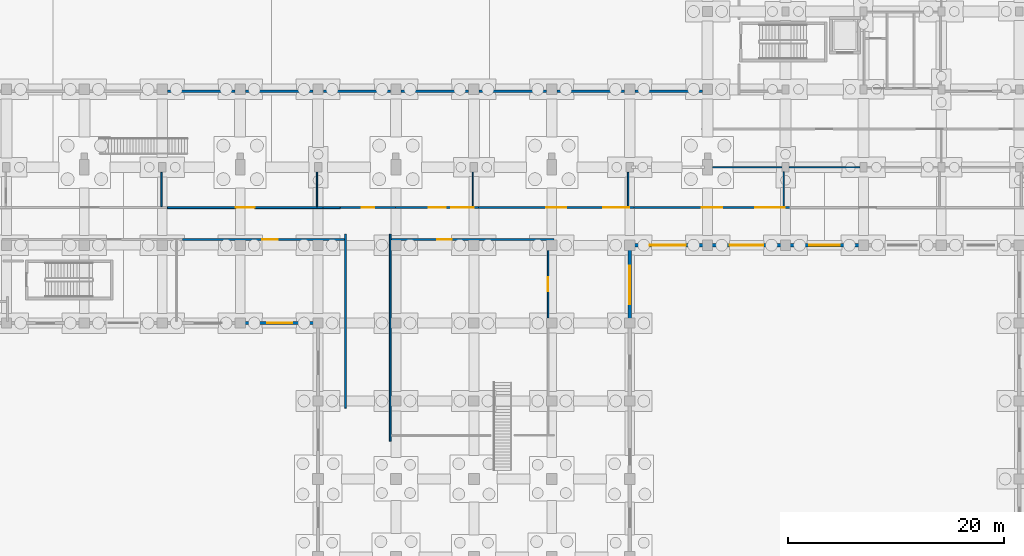
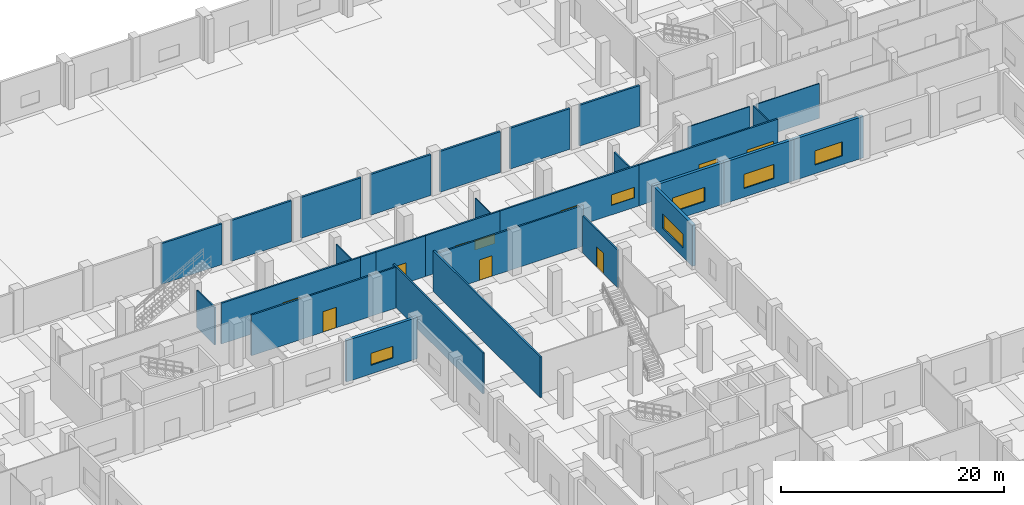
# One storey, part 29 of 48: 30 walls, 8 doors, 8 windows, 16 openings.
"""IFC4 building model written with IfcOpenShell, lengths in metres."""

from ifc_helpers import new_model, si_unit, direction, frame, frame_2d, origin, place, context, subcontext, project, spatial, rectangle, extrude, material, layer, layer_set, type_object, element, fill, save


model = new_model("IFC4")

# Units and contexts
model_context = context("Model", 3, precision=1e-05, world=origin(), true_north=direction((0.0, 1.0)))
body_context = subcontext(model_context, "Body", "Model", "MODEL_VIEW")
ifc_project = project(units=[si_unit("LENGTHUNIT", "METRE"), si_unit("AREAUNIT", "SQUARE_METRE"), si_unit("VOLUMEUNIT", "CUBIC_METRE"), si_unit("PLANEANGLEUNIT", "RADIAN"), si_unit("MASSUNIT", "GRAM", prefix="KILO")], contexts=[model_context])

# Site, building, storey
site_placement = place(None, origin())
site = spatial("IfcSite", under=ifc_project, at=site_placement, CompositionType="ELEMENT")
building_placement = place(site_placement, origin())
building = spatial("IfcBuilding", under=site, at=building_placement, Name="Seraya Terrace Polytechnic", CompositionType="ELEMENT")
storey_placement = place(building_placement, origin())
storey = spatial("IfcBuildingStorey", under=building, at=storey_placement, Name="L00", CompositionType="ELEMENT", Elevation=0.0)

# Wall, opening, window
ifc_material_1 = material(Name="Concrete C40/50", Category="concrete")
ifc_layer_1 = layer(ifc_material_1, 0.300048828125, Name="EW-01")
ifc_layer_set_1 = layer_set([ifc_layer_1], Name="Concrete C40/50")
wall_type_1 = type_object("IfcWallType", Name="EW-01", PredefinedType="SOLIDWALL", material=ifc_layer_set_1)
wall_1_placement = place(storey_placement, frame((79.35009765625, 64.800048828125, 0.0), z_axis=(0.0, 0.0, 1.0), x_axis=(-1.0, 0.0, 0.0)))
wall_1 = element("IfcWall", 1, at=wall_1_placement, inside=storey, type_object=wall_type_1, Name="Exterior structural wall EW-01 L00", PredefinedType="SOLIDWALL", context=body_context, shape_type="SweptSolid", body=[
    extrude(rectangle(XDim=7.35009765625, YDim=0.300048828125, at=frame_2d((3.675048828125, 0.0))), origin(), (0.0, 0.0, 1.0), 4.52001953125),
])
opening_1_placement = place(wall_1_placement, frame((2.52490234375, 0.0, 0.949951171875)))
opening_1 = element("IfcOpeningElement", 2, at=opening_1_placement, cuts=wall_1, Name="Opening WN-09", PredefinedType="OPENING", context=body_context, shape_type="SweptSolid", body=[
    extrude(rectangle(XDim=2.300048828125, YDim=1.300048828125, at=frame_2d((1.14990234375, 0.64990234375))), frame((0.0, 0.162109375, 0.0), z_axis=(0.0, -1.0, 0.0), x_axis=(1.0, 0.0, 0.0)), (0.0, 0.0, 1.0), 0.323974609375),
])
ifc_material_2 = material(Name="Laminated solar-control Low-E double glazing", Category="glass")
window_type_1 = type_object("IfcWindowType", Name="WN-09", PartitioningType="SINGLE_PANEL", PredefinedType="WINDOW", material=ifc_material_2)
window_1_placement = place(opening_1_placement, origin())
window_1 = element("IfcWindow", 3, at=window_1_placement, inside=storey, type_object=window_type_1, Name="Exterior window WN-09 L00", OverallHeight=1.300048828125, OverallWidth=2.300048828125, PartitioningType="SINGLE_PANEL", PredefinedType="WINDOW", context=body_context, shape_type="SweptSolid", body=[
    extrude(rectangle(XDim=2.300048828125, YDim=1.300048828125, at=frame_2d((1.14990234375, 0.64990234375))), frame((0.0, 0.030029296875, 0.0), z_axis=(0.0, -1.0, 0.0), x_axis=(1.0, 0.0, 0.0)), (0.0, 0.0, 1.0), 0.06005859375),
])
fill(opening_1, window_1)

wall_2_placement = place(storey_placement, frame((129.60009765625, 72.0, 0.0), z_axis=(0.0, 0.0, 1.0), x_axis=(-1.0, 0.0, 0.0)))
wall_2 = element("IfcWall", 4, at=wall_2_placement, inside=storey, type_object=wall_type_1, Name="Exterior structural wall EW-01 L00", PredefinedType="SOLIDWALL", context=body_context, shape_type="SweptSolid", body=[
    extrude(rectangle(XDim=7.2001953125, YDim=0.300048828125, at=frame_2d((3.60009765625, 0.0))), origin(), (0.0, 0.0, 1.0), 4.52001953125),
])
opening_2_placement = place(wall_2_placement, frame((2.175048828125, 0.0, 0.949951171875)))
opening_2 = element("IfcOpeningElement", 5, at=opening_2_placement, cuts=wall_2, Name="Opening WN-23", PredefinedType="OPENING", context=body_context, shape_type="SweptSolid", body=[
    extrude(rectangle(XDim=2.85009765625, YDim=1.550048828125, at=frame_2d((1.425048828125, 0.77490234375))), frame((0.0, 0.162109375, 0.0), z_axis=(0.0, -1.0, 0.0), x_axis=(1.0, 0.0, 0.0)), (0.0, 0.0, 1.0), 0.323974609375),
])
window_type_2 = type_object("IfcWindowType", Name="WN-23", PartitioningType="SINGLE_PANEL", PredefinedType="WINDOW", material=ifc_material_2)
window_2_placement = place(opening_2_placement, origin())
window_2 = element("IfcWindow", 6, at=window_2_placement, inside=storey, type_object=window_type_2, Name="Exterior window WN-23 L00", OverallHeight=1.550048828125, OverallWidth=2.85009765625, PartitioningType="SINGLE_PANEL", PredefinedType="WINDOW", context=body_context, shape_type="SweptSolid", body=[
    extrude(rectangle(XDim=2.85009765625, YDim=1.550048828125, at=frame_2d((1.425048828125, 0.77490234375))), frame((0.0, 0.030029296875, 0.0), z_axis=(0.0, -1.0, 0.0), x_axis=(1.0, 0.0, 0.0)), (0.0, 0.0, 1.0), 0.06005859375),
])
fill(opening_2, window_2)

wall_3_placement = place(storey_placement, frame((122.39990234375, 72.0, 0.0), z_axis=(0.0, 0.0, 1.0), x_axis=(-1.0, 0.0, 0.0)))
wall_3 = element("IfcWall", 7, at=wall_3_placement, inside=storey, type_object=wall_type_1, Name="Exterior structural wall EW-01 L00", PredefinedType="SOLIDWALL", context=body_context, shape_type="SweptSolid", body=[
    extrude(rectangle(XDim=7.199951171875, YDim=0.300048828125, at=frame_2d((3.60009765625, 0.0))), origin(), (0.0, 0.0, 1.0), 4.52001953125),
])
opening_3_placement = place(wall_3_placement, frame((2.050048828125, 0.0, 0.949951171875)))
opening_3 = element("IfcOpeningElement", 8, at=opening_3_placement, cuts=wall_3, Name="Opening WN-24", PredefinedType="OPENING", context=body_context, shape_type="SweptSolid", body=[
    extrude(rectangle(XDim=3.10009765625, YDim=1.550048828125, at=frame_2d((1.550048828125, 0.77490234375))), frame((0.0, 0.162109375, 0.0), z_axis=(0.0, -1.0, 0.0), x_axis=(1.0, 0.0, 0.0)), (0.0, 0.0, 1.0), 0.323974609375),
])
window_type_3 = type_object("IfcWindowType", Name="WN-24", PartitioningType="SINGLE_PANEL", PredefinedType="WINDOW", material=ifc_material_2)
window_3_placement = place(opening_3_placement, origin())
window_3 = element("IfcWindow", 9, at=window_3_placement, inside=storey, type_object=window_type_3, Name="Exterior window WN-24 L00", OverallHeight=1.550048828125, OverallWidth=3.10009765625, PartitioningType="SINGLE_PANEL", PredefinedType="WINDOW", context=body_context, shape_type="SweptSolid", body=[
    extrude(rectangle(XDim=3.10009765625, YDim=1.550048828125, at=frame_2d((1.550048828125, 0.77490234375))), frame((0.0, 0.030029296875, 0.0), z_axis=(0.0, -1.0, 0.0), x_axis=(1.0, 0.0, 0.0)), (0.0, 0.0, 1.0), 0.06005859375),
])
fill(opening_3, window_3)

wall_4_placement = place(storey_placement, frame((115.199951171875, 72.0, 0.0), z_axis=(0.0, 0.0, 1.0), x_axis=(-1.0, 0.0, 0.0)))
wall_4 = element("IfcWall", 10, at=wall_4_placement, inside=storey, type_object=wall_type_1, Name="Exterior structural wall EW-01 L00", PredefinedType="SOLIDWALL", context=body_context, shape_type="SweptSolid", body=[
    extrude(rectangle(XDim=7.349853515625, YDim=0.300048828125, at=frame_2d((3.6748046875, 0.0))), origin(), (0.0, 0.0, 1.0), 4.52001953125),
])
opening_4_placement = place(wall_4_placement, frame((2.0, 0.0, 0.949951171875)))
opening_4 = element("IfcOpeningElement", 11, at=opening_4_placement, cuts=wall_4, Name="Opening WN-25", PredefinedType="OPENING", context=body_context, shape_type="SweptSolid", body=[
    extrude(rectangle(XDim=3.35009765625, YDim=1.550048828125, at=frame_2d((1.675048828125, 0.77490234375))), frame((0.0, 0.162109375, 0.0), z_axis=(0.0, -1.0, 0.0), x_axis=(1.0, 0.0, 0.0)), (0.0, 0.0, 1.0), 0.323974609375),
])
window_type_4 = type_object("IfcWindowType", Name="WN-25", PartitioningType="SINGLE_PANEL", PredefinedType="WINDOW", material=ifc_material_2)
window_4_placement = place(opening_4_placement, origin())
window_4 = element("IfcWindow", 12, at=window_4_placement, inside=storey, type_object=window_type_4, Name="Exterior window WN-25 L00", OverallHeight=1.550048828125, OverallWidth=3.35009765625, PartitioningType="SINGLE_PANEL", PredefinedType="WINDOW", context=body_context, shape_type="SweptSolid", body=[
    extrude(rectangle(XDim=3.35009765625, YDim=1.550048828125, at=frame_2d((1.675048828125, 0.77490234375))), frame((0.0, 0.030029296875, 0.0), z_axis=(0.0, -1.0, 0.0), x_axis=(1.0, 0.0, 0.0)), (0.0, 0.0, 1.0), 0.06005859375),
])
fill(opening_4, window_4)

wall_5_placement = place(storey_placement, frame((108.0, 71.847900390625, 0.0), z_axis=(0.0, 0.0, 1.0), x_axis=(0.0, -1.0, 0.0)))
wall_5 = element("IfcWall", 13, at=wall_5_placement, inside=storey, type_object=wall_type_1, Name="Exterior structural wall EW-01 L00", PredefinedType="SOLIDWALL", context=body_context, shape_type="SweptSolid", body=[
    extrude(rectangle(XDim=7.0478515625, YDim=0.300048828125, at=frame_2d((3.52392578125, 0.0))), origin(), (0.0, 0.0, 1.0), 4.52001953125),
])
opening_5_placement = place(wall_5_placement, frame((1.72412109375, 0.0, 0.949951171875)))
opening_5 = element("IfcOpeningElement", 14, at=opening_5_placement, cuts=wall_5, Name="Opening WN-26", PredefinedType="OPENING", context=body_context, shape_type="SweptSolid", body=[
    extrude(rectangle(XDim=3.60009765625, YDim=1.550048828125, at=frame_2d((1.800048828125, 0.77490234375))), frame((0.0, 0.162109375, 0.0), z_axis=(0.0, -1.0, 0.0), x_axis=(1.0, 0.0, 0.0)), (0.0, 0.0, 1.0), 0.323974609375),
])
window_type_5 = type_object("IfcWindowType", Name="WN-26", PartitioningType="SINGLE_PANEL", PredefinedType="WINDOW", material=ifc_material_2)
window_5_placement = place(opening_5_placement, origin())
window_5 = element("IfcWindow", 15, at=window_5_placement, inside=storey, type_object=window_type_5, Name="Exterior window WN-26 L00", OverallHeight=1.550048828125, OverallWidth=3.60009765625, PartitioningType="SINGLE_PANEL", PredefinedType="WINDOW", context=body_context, shape_type="SweptSolid", body=[
    extrude(rectangle(XDim=3.60009765625, YDim=1.550048828125, at=frame_2d((1.800048828125, 0.77490234375))), frame((0.0, 0.030029296875, 0.0), z_axis=(0.0, -1.0, 0.0), x_axis=(1.0, 0.0, 0.0)), (0.0, 0.0, 1.0), 0.06005859375),
])
fill(opening_5, window_5)

# Walls
ifc_material_3 = material(Name="Autoclaved aerated concrete blockwork", Category="masonry")
ifc_layer_2 = layer(ifc_material_3, 0.199951171875, Name="PT-01")
ifc_layer_set_2 = layer_set([ifc_layer_2], Name="Autoclaved aerated concrete blockwork")
wall_type_2 = type_object("IfcWallType", Name="PT-01", PredefinedType="PARTITIONING", material=ifc_layer_set_2)
for number, where, z_axis, x_axis, name in (
    (16, (65.284912109375, 86.219970703125, 0.0), (0.0, 0.0, 1.0), (1.0, 0.0, 0.0), "Internal partition PT-01 L00"),
    (17, (72.485107421875, 86.219970703125, 0.0), (0.0, 0.0, 1.0), (1.0, 0.0, 0.0), "Internal partition PT-01 L00"),
    (18, (79.68505859375, 86.219970703125, 0.0), (0.0, 0.0, 1.0), (1.0, 0.0, 0.0), "Internal partition PT-01 L00"),
    (19, (94.0849609375, 86.219970703125, 0.0), (0.0, 0.0, 1.0), (1.0, 0.0, 0.0), "Internal partition PT-01 L00"),
    (20, (101.284912109375, 86.219970703125, 0.0), (0.0, 0.0, 1.0), (1.0, 0.0, 0.0), "Internal partition PT-01 L00"),
    (21, (108.485107421875, 86.219970703125, 0.0), (0.0, 0.0, 1.0), (1.0, 0.0, 0.0), "Internal partition PT-01 L00"),
    (22, (86.885009765625, 86.219970703125, 0.0), (0.0, 0.0, 1.0), (1.0, 0.0, 0.0), "Internal partition PT-01 L00"),
):
    element("IfcWall", number, at=place(storey_placement, frame(where, z_axis=z_axis, x_axis=x_axis)), inside=storey, type_object=wall_type_2, Name=name, PredefinedType="PARTITIONING", context=body_context, shape_type="SweptSolid", body=[
        extrude(rectangle(XDim=6.22998046875, YDim=0.199951171875, at=frame_2d((3.114990234375, 0.0))), origin(), (0.0, 0.0, 1.0), 4.4599609375),
    ])
ifc_layer_3 = layer(ifc_material_3, 0.169921875, Name="PT-02")
ifc_layer_set_3 = layer_set([ifc_layer_3], Name="Autoclaved aerated concrete blockwork")
wall_type_3 = type_object("IfcWallType", Name="PT-02", PredefinedType="PARTITIONING", material=ifc_layer_set_3)
wall_6_placement = place(storey_placement, frame((85.8701171875, 53.860107421875, 0.0), z_axis=(0.0, 0.0, 1.0), x_axis=(0.0, 1.0, 0.0)))
element("IfcWall", 23, at=wall_6_placement, inside=storey, type_object=wall_type_3, Name="Internal partition PT-02 L00", PredefinedType="PARTITIONING", context=body_context, shape_type="SweptSolid", body=[
    extrude(rectangle(XDim=19.159912109375, YDim=0.169921875, at=frame_2d((9.580078125, 0.0))), origin(), (0.0, 0.0, 1.0), 4.4599609375),
])

# Wall, opening, door
wall_7_placement = place(storey_placement, frame((81.239990234375, 75.469970703125, 0.0), z_axis=(0.0, 0.0, 1.0), x_axis=(1.0, 0.0, 0.0)))
wall_7 = element("IfcWall", 24, at=wall_7_placement, inside=storey, type_object=wall_type_3, Name="Internal partition PT-02 L00", PredefinedType="PARTITIONING", context=body_context, shape_type="SweptSolid", body=[
    extrude(rectangle(XDim=5.1201171875, YDim=0.169921875, at=frame_2d((2.56005859375, 0.0))), origin(), (0.0, 0.0, 1.0), 4.4599609375),
])
opening_6_placement = place(wall_7_placement, frame((1.989990234375, 0.0, 0.0)))
opening_6 = element("IfcOpeningElement", 25, at=opening_6_placement, cuts=wall_7, Name="Opening ID-06", PredefinedType="OPENING", context=body_context, shape_type="SweptSolid", body=[
    extrude(rectangle(XDim=1.139892578125, YDim=2.199951171875, at=frame_2d((0.56982421875, 1.10009765625))), frame((0.0, 0.096923828125, 0.0), z_axis=(0.0, -1.0, 0.0), x_axis=(1.0, 0.0, 0.0)), (0.0, 0.0, 1.0), 0.19384765625),
])
ifc_material_4 = material(Name="Malaysian dark red meranti hardwood timber D40", Category="wood")
door_type_1 = type_object("IfcDoorType", Name="ID-06", OperationType="NOTDEFINED", PredefinedType="DOOR", material=ifc_material_4)
door_1_placement = place(opening_6_placement, frame((1.139892578125, 0.0, 0.0), z_axis=(0.0, 0.0, 1.0), x_axis=(-1.0, 0.0, 0.0)))
door_1 = element("IfcDoor", 26, at=door_1_placement, inside=storey, type_object=door_type_1, Name="Door ID-06 DR-INT-L00-0051 in WL-INT-L00-0063", OperationType="SINGLE_SWING_RIGHT", OverallHeight=2.199951171875, OverallWidth=1.139892578125, PredefinedType="DOOR", context=body_context, shape_type="SweptSolid", body=[
    extrude(rectangle(XDim=1.139892578125, YDim=2.199951171875, at=frame_2d((0.56982421875, 1.10009765625))), frame((0.0, 0.02490234375, 0.0), z_axis=(0.0, -1.0, 0.0), x_axis=(1.0, 0.0, 0.0)), (0.0, 0.0, 1.0), 0.050048828125),
])
fill(opening_6, door_1)

# Wall
wall_8_placement = place(storey_placement, frame((81.72998046875, 56.93994140625, 0.0), z_axis=(0.0, 0.0, 1.0), x_axis=(0.0, 1.0, 0.0)))
element("IfcWall", 27, at=wall_8_placement, inside=storey, type_object=wall_type_3, Name="Internal partition PT-02 L00", PredefinedType="PARTITIONING", context=body_context, shape_type="SweptSolid", body=[
    extrude(rectangle(XDim=16.080078125, YDim=0.169921875, at=frame_2d((8.0400390625, 0.0))), origin(), (0.0, 0.0, 1.0), 4.4599609375),
])

# Wall, opening, door
wall_9_placement = place(storey_placement, frame((65.280029296875, 75.469970703125, 0.0), z_axis=(0.0, 0.0, 1.0), x_axis=(1.0, 0.0, 0.0)))
wall_9 = element("IfcWall", 28, at=wall_9_placement, inside=storey, type_object=wall_type_3, Name="Internal partition PT-02 L00", PredefinedType="PARTITIONING", context=body_context, shape_type="SweptSolid", body=[
    extrude(rectangle(XDim=14.3798828125, YDim=0.169921875, at=frame_2d((7.18994140625, 0.0))), origin(), (0.0, 0.0, 1.0), 4.4599609375),
])
opening_7_placement = place(wall_9_placement, frame((6.31005859375, 0.0, 0.0)))
opening_7 = element("IfcOpeningElement", 29, at=opening_7_placement, cuts=wall_9, Name="Opening ID-14", PredefinedType="OPENING", context=body_context, shape_type="SweptSolid", body=[
    extrude(rectangle(XDim=1.760009765625, YDim=2.300048828125, at=frame_2d((0.8798828125, 1.14990234375))), frame((0.0, 0.096923828125, 0.0), z_axis=(0.0, -1.0, 0.0), x_axis=(1.0, 0.0, 0.0)), (0.0, 0.0, 1.0), 0.19384765625),
])
door_type_2 = type_object("IfcDoorType", Name="ID-14", OperationType="DOUBLE_DOOR_SINGLE_SWING", PredefinedType="DOOR", material=ifc_material_4)
door_2_placement = place(opening_7_placement, frame((1.760009765625, 0.0, 0.0), z_axis=(0.0, 0.0, 1.0), x_axis=(-1.0, 0.0, 0.0)))
door_2 = element("IfcDoor", 30, at=door_2_placement, inside=storey, type_object=door_type_2, Name="Door ID-14 DR-INT-L00-0011 in WL-INT-L00-0070", OperationType="DOUBLE_DOOR_SINGLE_SWING", OverallHeight=2.300048828125, OverallWidth=1.760009765625, PredefinedType="DOOR", context=body_context, shape_type="SweptSolid", body=[
    extrude(rectangle(XDim=1.760009765625, YDim=2.300048828125, at=frame_2d((0.8798828125, 1.14990234375))), frame((0.0, 0.02490234375, 0.0), z_axis=(0.0, -1.0, 0.0), x_axis=(1.0, 0.0, 0.0)), (0.0, 0.0, 1.0), 0.050048828125),
])
fill(opening_7, door_2)

# Wall
wall_10_placement = place(storey_placement, frame((79.659912109375, 75.469970703125, 0.0), z_axis=(0.0, 0.0, 1.0), x_axis=(1.0, 0.0, 0.0)))
element("IfcWall", 31, at=wall_10_placement, inside=storey, type_object=wall_type_3, Name="Internal partition PT-02 L00", PredefinedType="PARTITIONING", context=body_context, shape_type="SweptSolid", body=[
    extrude(rectangle(XDim=1.580078125, YDim=0.169921875, at=frame_2d((0.7900390625, 0.0))), origin(), (0.0, 0.0, 1.0), 4.4599609375),
])

# Wall, opening, door
wall_11_placement = place(storey_placement, frame((66.68505859375, 72.530029296875, 0.0), z_axis=(0.0, 0.0, 1.0), x_axis=(1.0, 0.0, 0.0)))
wall_11 = element("IfcWall", 32, at=wall_11_placement, inside=storey, type_object=wall_type_3, Name="Internal partition PT-02 L00", PredefinedType="PARTITIONING", context=body_context, shape_type="SweptSolid", body=[
    extrude(rectangle(XDim=14.94482421875, YDim=0.169921875, at=frame_2d((7.472412109375, 0.0))), origin(), (0.0, 0.0, 1.0), 4.4599609375),
])
opening_8_placement = place(wall_11_placement, frame((7.362548828125, 0.0, 0.0)))
opening_8 = element("IfcOpeningElement", 33, at=opening_8_placement, cuts=wall_11, Name="Opening ID-10", PredefinedType="OPENING", context=body_context, shape_type="SweptSolid", body=[
    extrude(rectangle(XDim=1.419921875, YDim=2.239990234375, at=frame_2d((0.7099609375, 1.1201171875))), frame((0.0, 0.096923828125, 0.0), z_axis=(0.0, -1.0, 0.0), x_axis=(1.0, 0.0, 0.0)), (0.0, 0.0, 1.0), 0.19384765625),
])
door_type_3 = type_object("IfcDoorType", Name="ID-10", OperationType="DOUBLE_DOOR_SINGLE_SWING", PredefinedType="DOOR", material=ifc_material_4)
door_3_placement = place(opening_8_placement, frame((1.419921875, 0.0, 0.0), z_axis=(0.0, 0.0, 1.0), x_axis=(-1.0, 0.0, 0.0)))
door_3 = element("IfcDoor", 34, at=door_3_placement, inside=storey, type_object=door_type_3, Name="Door ID-10 DR-INT-L00-0007 in WL-INT-L00-0073", OperationType="DOUBLE_DOOR_SINGLE_SWING", OverallHeight=2.239990234375, OverallWidth=1.419921875, PredefinedType="DOOR", context=body_context, shape_type="SweptSolid", body=[
    extrude(rectangle(XDim=1.419921875, YDim=2.239990234375, at=frame_2d((0.7099609375, 1.1201171875))), frame((0.0, 0.02490234375, 0.0), z_axis=(0.0, -1.0, 0.0), x_axis=(1.0, 0.0, 0.0)), (0.0, 0.0, 1.0), 0.050048828125),
])
fill(opening_8, door_3)

wall_12_placement = place(storey_placement, frame((85.969970703125, 72.530029296875, 0.0), z_axis=(0.0, 0.0, 1.0), x_axis=(1.0, 0.0, 0.0)))
wall_12 = element("IfcWall", 35, at=wall_12_placement, inside=storey, type_object=wall_type_3, Name="Internal partition PT-02 L00", PredefinedType="PARTITIONING", context=body_context, shape_type="SweptSolid", body=[
    extrude(rectangle(XDim=15.0498046875, YDim=0.169921875, at=frame_2d((7.52490234375, 0.0))), origin(), (0.0, 0.0, 1.0), 4.4599609375),
])
opening_9_placement = place(wall_12_placement, frame((4.2548828125, 0.0, 0.0)))
opening_9 = element("IfcOpeningElement", 36, at=opening_9_placement, cuts=wall_12, Name="Opening ID-09", PredefinedType="OPENING", context=body_context, shape_type="SweptSolid", body=[
    extrude(rectangle(XDim=1.340087890625, YDim=2.239990234375, at=frame_2d((0.669921875, 1.1201171875))), frame((0.0, 0.096923828125, 0.0), z_axis=(0.0, -1.0, 0.0), x_axis=(1.0, 0.0, 0.0)), (0.0, 0.0, 1.0), 0.19384765625),
])
door_type_4 = type_object("IfcDoorType", Name="ID-09", OperationType="NOTDEFINED", PredefinedType="DOOR", material=ifc_material_4)
door_4_placement = place(opening_9_placement, origin())
door_4 = element("IfcDoor", 37, at=door_4_placement, inside=storey, type_object=door_type_4, Name="Door ID-09 DR-INT-L00-0006 in WL-INT-L00-0076", OperationType="SINGLE_SWING_LEFT", OverallHeight=2.239990234375, OverallWidth=1.340087890625, PredefinedType="DOOR", context=body_context, shape_type="SweptSolid", body=[
    extrude(rectangle(XDim=1.340087890625, YDim=2.239990234375, at=frame_2d((0.669921875, 1.1201171875))), frame((0.0, 0.02490234375, 0.0), z_axis=(0.0, -1.0, 0.0), x_axis=(1.0, 0.0, 0.0)), (0.0, 0.0, 1.0), 0.050048828125),
])
fill(opening_9, door_4)

# Wall, openings, door, window
wall_13_placement = place(storey_placement, frame((86.360107421875, 75.469970703125, 0.0), z_axis=(0.0, 0.0, 1.0), x_axis=(1.0, 0.0, 0.0)))
wall_13 = element("IfcWall", 38, at=wall_13_placement, inside=storey, type_object=wall_type_3, Name="Internal partition PT-02 L00", PredefinedType="PARTITIONING", context=body_context, shape_type="SweptSolid", body=[
    extrude(rectangle(XDim=7.679931640625, YDim=0.169921875, at=frame_2d((3.83984375, 0.0))), origin(), (0.0, 0.0, 1.0), 4.4599609375),
])
opening_10_placement = place(wall_13_placement, frame((3.06005859375, 0.0, 0.0)))
opening_10 = element("IfcOpeningElement", 39, at=opening_10_placement, cuts=wall_13, Name="Opening ID-12", PredefinedType="OPENING", context=body_context, shape_type="SweptSolid", body=[
    extrude(rectangle(XDim=1.56005859375, YDim=2.260009765625, at=frame_2d((0.780029296875, 1.1298828125))), frame((0.0, 0.096923828125, 0.0), z_axis=(0.0, -1.0, 0.0), x_axis=(1.0, 0.0, 0.0)), (0.0, 0.0, 1.0), 0.19384765625),
])
opening_11_placement = place(wall_13_placement, frame((5.1298828125, 0.0, 1.050048828125)))
opening_11 = element("IfcOpeningElement", 40, at=opening_11_placement, cuts=wall_13, Name="Opening IW-03", PredefinedType="OPENING", context=body_context, shape_type="SweptSolid", body=[
    extrude(rectangle(XDim=2.10009765625, YDim=1.050048828125, at=frame_2d((1.050048828125, 0.52490234375))), frame((0.0, 0.096923828125, 0.0), z_axis=(0.0, -1.0, 0.0), x_axis=(1.0, 0.0, 0.0)), (0.0, 0.0, 1.0), 0.19384765625),
])
door_type_5 = type_object("IfcDoorType", Name="ID-12", OperationType="DOUBLE_DOOR_SINGLE_SWING", PredefinedType="DOOR", material=ifc_material_4)
door_5_placement = place(opening_10_placement, frame((1.56005859375, 0.0, 0.0), z_axis=(0.0, 0.0, 1.0), x_axis=(-1.0, 0.0, 0.0)))
door_5 = element("IfcDoor", 41, at=door_5_placement, inside=storey, type_object=door_type_5, Name="Door ID-12 DR-INT-L00-0025 in WL-INT-L00-0077", OperationType="DOUBLE_DOOR_SINGLE_SWING", OverallHeight=2.260009765625, OverallWidth=1.56005859375, PredefinedType="DOOR", context=body_context, shape_type="SweptSolid", body=[
    extrude(rectangle(XDim=1.56005859375, YDim=2.260009765625, at=frame_2d((0.780029296875, 1.1298828125))), frame((0.0, 0.02490234375, 0.0), z_axis=(0.0, -1.0, 0.0), x_axis=(1.0, 0.0, 0.0)), (0.0, 0.0, 1.0), 0.050048828125),
])
fill(opening_10, door_5)
window_type_6 = type_object("IfcWindowType", Name="IW-03", PartitioningType="SINGLE_PANEL", PredefinedType="WINDOW", material=ifc_material_2)
window_6_placement = place(opening_11_placement, origin())
window_6 = element("IfcWindow", 42, at=window_6_placement, inside=storey, type_object=window_type_6, Name="Internal lab vision window IW-03 L00", OverallHeight=1.050048828125, OverallWidth=2.10009765625, PartitioningType="SINGLE_PANEL", PredefinedType="WINDOW", context=body_context, shape_type="SweptSolid", body=[
    extrude(rectangle(XDim=2.10009765625, YDim=1.050048828125, at=frame_2d((1.050048828125, 0.52490234375))), frame((0.0, 0.030029296875, 0.0), z_axis=(0.0, -1.0, 0.0), x_axis=(1.0, 0.0, 0.0)), (0.0, 0.0, 1.0), 0.06005859375),
])
fill(opening_11, window_6)

wall_14_placement = place(storey_placement, frame((94.0400390625, 75.469970703125, 0.0), z_axis=(0.0, 0.0, 1.0), x_axis=(1.0, 0.0, 0.0)))
wall_14 = element("IfcWall", 43, at=wall_14_placement, inside=storey, type_object=wall_type_3, Name="Internal partition PT-02 L00", PredefinedType="PARTITIONING", context=body_context, shape_type="SweptSolid", body=[
    extrude(rectangle(XDim=14.3798828125, YDim=0.169921875, at=frame_2d((7.18994140625, 0.0))), origin(), (0.0, 0.0, 1.0), 4.4599609375),
])
opening_12_placement = place(wall_14_placement, frame((6.27001953125, 0.0, 0.0)))
opening_12 = element("IfcOpeningElement", 44, at=opening_12_placement, cuts=wall_14, Name="Opening ID-15", PredefinedType="OPENING", context=body_context, shape_type="SweptSolid", body=[
    extrude(rectangle(XDim=1.840087890625, YDim=2.300048828125, at=frame_2d((0.919921875, 1.14990234375))), frame((0.0, 0.096923828125, 0.0), z_axis=(0.0, -1.0, 0.0), x_axis=(1.0, 0.0, 0.0)), (0.0, 0.0, 1.0), 0.19384765625),
])
opening_13_placement = place(wall_14_placement, frame((11.530029296875, 0.0, 1.050048828125)))
opening_13 = element("IfcOpeningElement", 45, at=opening_13_placement, cuts=wall_14, Name="Opening IW-04", PredefinedType="OPENING", context=body_context, shape_type="SweptSolid", body=[
    extrude(rectangle(XDim=2.39990234375, YDim=1.14990234375, at=frame_2d((1.199951171875, 0.574951171875))), frame((0.0, 0.096923828125, 0.0), z_axis=(0.0, -1.0, 0.0), x_axis=(1.0, 0.0, 0.0)), (0.0, 0.0, 1.0), 0.19384765625),
])
door_type_6 = type_object("IfcDoorType", Name="ID-15", OperationType="DOUBLE_DOOR_SINGLE_SWING", PredefinedType="DOOR", material=ifc_material_4)
door_6_placement = place(opening_12_placement, origin())
door_6 = element("IfcDoor", 46, at=door_6_placement, inside=storey, type_object=door_type_6, Name="Door ID-15 DR-INT-L00-0012 in WL-INT-L00-0078", OperationType="DOUBLE_DOOR_SINGLE_SWING", OverallHeight=2.300048828125, OverallWidth=1.840087890625, PredefinedType="DOOR", context=body_context, shape_type="SweptSolid", body=[
    extrude(rectangle(XDim=1.840087890625, YDim=2.300048828125, at=frame_2d((0.919921875, 1.14990234375))), frame((0.0, 0.02490234375, 0.0), z_axis=(0.0, -1.0, 0.0), x_axis=(1.0, 0.0, 0.0)), (0.0, 0.0, 1.0), 0.050048828125),
])
fill(opening_12, door_6)
window_type_7 = type_object("IfcWindowType", Name="IW-04", PartitioningType="SINGLE_PANEL", PredefinedType="WINDOW", material=ifc_material_2)
window_7_placement = place(opening_13_placement, origin())
window_7 = element("IfcWindow", 47, at=window_7_placement, inside=storey, type_object=window_type_7, Name="Internal lab vision window IW-04 L00", OverallHeight=1.14990234375, OverallWidth=2.39990234375, PartitioningType="SINGLE_PANEL", PredefinedType="WINDOW", context=body_context, shape_type="SweptSolid", body=[
    extrude(rectangle(XDim=2.39990234375, YDim=1.14990234375, at=frame_2d((1.199951171875, 0.574951171875))), frame((0.0, 0.030029296875, 0.0), z_axis=(0.0, -1.0, 0.0), x_axis=(1.0, 0.0, 0.0)), (0.0, 0.0, 1.0), 0.06005859375),
])
fill(opening_13, window_7)

wall_15_placement = place(storey_placement, frame((108.419921875, 75.469970703125, 0.0), z_axis=(0.0, 0.0, 1.0), x_axis=(1.0, 0.0, 0.0)))
wall_15 = element("IfcWall", 48, at=wall_15_placement, inside=storey, type_object=wall_type_3, Name="Internal partition PT-02 L00", PredefinedType="PARTITIONING", context=body_context, shape_type="SweptSolid", body=[
    extrude(rectangle(XDim=14.380126953125, YDim=0.169921875, at=frame_2d((7.18994140625, 0.0))), origin(), (0.0, 0.0, 1.0), 4.4599609375),
])
opening_14_placement = place(wall_15_placement, frame((6.22998046875, 0.0, 0.0)))
opening_14 = element("IfcOpeningElement", 49, at=opening_14_placement, cuts=wall_15, Name="Opening ID-16", PredefinedType="OPENING", context=body_context, shape_type="SweptSolid", body=[
    extrude(rectangle(XDim=1.919921875, YDim=2.320068359375, at=frame_2d((0.9599609375, 1.16015625))), frame((0.0, 0.096923828125, 0.0), z_axis=(0.0, -1.0, 0.0), x_axis=(1.0, 0.0, 0.0)), (0.0, 0.0, 1.0), 0.19384765625),
])
opening_15_placement = place(wall_15_placement, frame((11.179931640625, 0.0, 1.050048828125)))
opening_15 = element("IfcOpeningElement", 50, at=opening_15_placement, cuts=wall_15, Name="Opening IW-05", PredefinedType="OPENING", context=body_context, shape_type="SweptSolid", body=[
    extrude(rectangle(XDim=2.75, YDim=1.14990234375, at=frame_2d((1.375, 0.574951171875))), frame((0.0, 0.096923828125, 0.0), z_axis=(0.0, -1.0, 0.0), x_axis=(1.0, 0.0, 0.0)), (0.0, 0.0, 1.0), 0.19384765625),
])
door_type_7 = type_object("IfcDoorType", Name="ID-16", OperationType="DOUBLE_DOOR_SINGLE_SWING", PredefinedType="DOOR", material=ifc_material_4)
door_7_placement = place(opening_14_placement, frame((1.919921875, 0.0, 0.0), z_axis=(0.0, 0.0, 1.0), x_axis=(-1.0, 0.0, 0.0)))
door_7 = element("IfcDoor", 51, at=door_7_placement, inside=storey, type_object=door_type_7, Name="Door ID-16 DR-INT-L00-0013 in WL-INT-L00-0079", OperationType="DOUBLE_DOOR_SINGLE_SWING", OverallHeight=2.320068359375, OverallWidth=1.919921875, PredefinedType="DOOR", context=body_context, shape_type="SweptSolid", body=[
    extrude(rectangle(XDim=1.919921875, YDim=2.320068359375, at=frame_2d((0.9599609375, 1.16015625))), frame((0.0, 0.02490234375, 0.0), z_axis=(0.0, -1.0, 0.0), x_axis=(1.0, 0.0, 0.0)), (0.0, 0.0, 1.0), 0.050048828125),
])
fill(opening_14, door_7)
window_type_8 = type_object("IfcWindowType", Name="IW-05", PartitioningType="SINGLE_PANEL", PredefinedType="WINDOW", material=ifc_material_2)
window_8_placement = place(opening_15_placement, origin())
window_8 = element("IfcWindow", 52, at=window_8_placement, inside=storey, type_object=window_type_8, Name="Internal lab vision window IW-05 L00", OverallHeight=1.14990234375, OverallWidth=2.75, PartitioningType="SINGLE_PANEL", PredefinedType="WINDOW", context=body_context, shape_type="SweptSolid", body=[
    extrude(rectangle(XDim=2.75, YDim=1.14990234375, at=frame_2d((1.375, 0.574951171875))), frame((0.0, 0.030029296875, 0.0), z_axis=(0.0, -1.0, 0.0), x_axis=(1.0, 0.0, 0.0)), (0.0, 0.0, 1.0), 0.06005859375),
])
fill(opening_15, window_8)

# Wall, opening, door
ifc_layer_4 = layer(ifc_material_3, 0.14990234375, Name="PT-03")
ifc_layer_set_4 = layer_set([ifc_layer_4], Name="Autoclaved aerated concrete blockwork")
wall_type_4 = type_object("IfcWallType", Name="PT-03", PredefinedType="PARTITIONING", material=ifc_layer_set_4)
wall_16_placement = place(storey_placement, frame((100.459716796875, 65.284912109375, 0.0), z_axis=(0.0, 0.0, 1.0), x_axis=(0.0, 1.0, 0.0)))
wall_16 = element("IfcWall", 53, at=wall_16_placement, inside=storey, type_object=wall_type_4, Name="Internal partition PT-03 L00", PredefinedType="PARTITIONING", context=body_context, shape_type="SweptSolid", body=[
    extrude(rectangle(XDim=6.22998046875, YDim=0.14990234375, at=frame_2d((3.114990234375, 0.0))), origin(), (0.0, 0.0, 1.0), 4.080078125),
])
opening_16_placement = place(wall_16_placement, frame((2.47509765625, 0.0, 0.0)))
opening_16 = element("IfcOpeningElement", 54, at=opening_16_placement, cuts=wall_16, Name="Opening ID-08", PredefinedType="OPENING", context=body_context, shape_type="SweptSolid", body=[
    extrude(rectangle(XDim=1.280029296875, YDim=2.219970703125, at=frame_2d((0.64013671875, 1.10986328125))), frame((0.0, 0.0869140625, 0.0), z_axis=(0.0, -1.0, 0.0), x_axis=(1.0, 0.0, 0.0)), (0.0, 0.0, 1.0), 0.173828125),
])
door_type_8 = type_object("IfcDoorType", Name="ID-08", OperationType="NOTDEFINED", PredefinedType="DOOR", material=ifc_material_4)
door_8_placement = place(opening_16_placement, frame((1.280029296875, 0.0, 0.0), z_axis=(0.0, 0.0, 1.0), x_axis=(-1.0, 0.0, 0.0)))
door_8 = element("IfcDoor", 55, at=door_8_placement, inside=storey, type_object=door_type_8, Name="Door ID-08 DR-INT-L00-0037 in WL-INT-L00-0163", OperationType="SINGLE_SWING_RIGHT", OverallHeight=2.219970703125, OverallWidth=1.280029296875, PredefinedType="DOOR", context=body_context, shape_type="SweptSolid", body=[
    extrude(rectangle(XDim=1.280029296875, YDim=2.219970703125, at=frame_2d((0.64013671875, 1.10986328125))), frame((0.0, 0.02490234375, 0.0), z_axis=(0.0, -1.0, 0.0), x_axis=(1.0, 0.0, 0.0)), (0.0, 0.0, 1.0), 0.050048828125),
])
fill(opening_16, door_8)

# Walls
for number, where, z_axis, x_axis, name in (
    (56, (64.719970703125, 75.570068359375, 0.0), (0.0, 0.0, 1.0), (0.0, 1.0, 0.0), "Internal partition PT-03 L00"),
    (57, (107.860107421875, 75.570068359375, 0.0), (0.0, 0.0, 1.0), (0.0, 1.0, 0.0), "Internal partition PT-03 L00"),
):
    element("IfcWall", number, at=place(storey_placement, frame(where, z_axis=z_axis, x_axis=x_axis)), inside=storey, type_object=wall_type_4, Name=name, PredefinedType="PARTITIONING", context=body_context, shape_type="SweptSolid", body=[
        extrude(rectangle(XDim=3.169921875, YDim=0.14990234375, at=frame_2d((1.5849609375, 0.0))), origin(), (0.0, 0.0, 1.0), 4.080078125),
    ])
ifc_layer_5 = layer(ifc_material_3, 0.1201171875, Name="PT-05")
ifc_layer_set_5 = layer_set([ifc_layer_5], Name="Autoclaved aerated concrete blockwork")
wall_type_5 = type_object("IfcWallType", Name="PT-05", PredefinedType="PARTITIONING", material=ifc_layer_set_5)
wall_17_placement = place(storey_placement, frame((79.10009765625, 75.570068359375, 0.0), z_axis=(0.0, 0.0, 1.0), x_axis=(0.0, 1.0, 0.0)))
element("IfcWall", 58, at=wall_17_placement, inside=storey, type_object=wall_type_5, Name="Internal partition PT-05 L00", PredefinedType="PARTITIONING", context=body_context, shape_type="SweptSolid", body=[
    extrude(rectangle(XDim=3.169921875, YDim=0.1201171875, at=frame_2d((1.5849609375, 0.0))), origin(), (0.0, 0.0, 1.0), 4.080078125),
])
wall_18_placement = place(storey_placement, frame((122.239990234375, 75.570068359375, 0.0), z_axis=(0.0, 0.0, 1.0), x_axis=(0.0, 1.0, 0.0)))
element("IfcWall", 59, at=wall_18_placement, inside=storey, type_object=wall_type_5, Name="Internal partition PT-05 L00", PredefinedType="PARTITIONING", context=body_context, shape_type="SweptSolid", body=[
    extrude(rectangle(XDim=3.19482421875, YDim=0.1201171875, at=frame_2d((1.597412109375, 0.0))), origin(), (0.0, 0.0, 1.0), 4.080078125),
])
ifc_layer_6 = layer(ifc_material_3, 0.10009765625, Name="PT-06")
ifc_layer_set_6 = layer_set([ifc_layer_6], Name="Autoclaved aerated concrete blockwork")
wall_type_6 = type_object("IfcWallType", Name="PT-06", PredefinedType="PARTITIONING", material=ifc_layer_set_6)
wall_19_placement = place(storey_placement, frame((93.47998046875, 75.570068359375, 0.0), z_axis=(0.0, 0.0, 1.0), x_axis=(0.0, 1.0, 0.0)))
element("IfcWall", 60, at=wall_19_placement, inside=storey, type_object=wall_type_6, Name="Internal partition PT-06 L00", PredefinedType="PARTITIONING", context=body_context, shape_type="SweptSolid", body=[
    extrude(rectangle(XDim=3.169921875, YDim=0.10009765625, at=frame_2d((1.5849609375, 0.0))), origin(), (0.0, 0.0, 1.0), 4.080078125),
])
wall_20_placement = place(storey_placement, frame((115.659912109375, 79.199951171875, 0.0), z_axis=(0.0, 0.0, 1.0), x_axis=(1.0, 0.0, 0.0)))
element("IfcWall", 61, at=wall_20_placement, inside=storey, type_object=wall_type_6, Name="Internal partition PT-06 L00", PredefinedType="PARTITIONING", context=body_context, shape_type="SweptSolid", body=[
    extrude(rectangle(XDim=6.405029296875, YDim=0.10009765625, at=frame_2d((3.20263671875, 0.0))), origin(), (0.0, 0.0, 1.0), 3.800048828125),
])
wall_21_placement = place(storey_placement, frame((122.735107421875, 79.199951171875, 0.0), z_axis=(0.0, 0.0, 1.0), x_axis=(1.0, 0.0, 0.0)))
element("IfcWall", 62, at=wall_21_placement, inside=storey, type_object=wall_type_6, Name="Internal partition PT-06 L00", PredefinedType="PARTITIONING", context=body_context, shape_type="SweptSolid", body=[
    extrude(rectangle(XDim=6.52978515625, YDim=0.10009765625, at=frame_2d((3.264892578125, 0.0))), origin(), (0.0, 0.0, 1.0), 3.800048828125),
])

save(model, "model.ifc")
